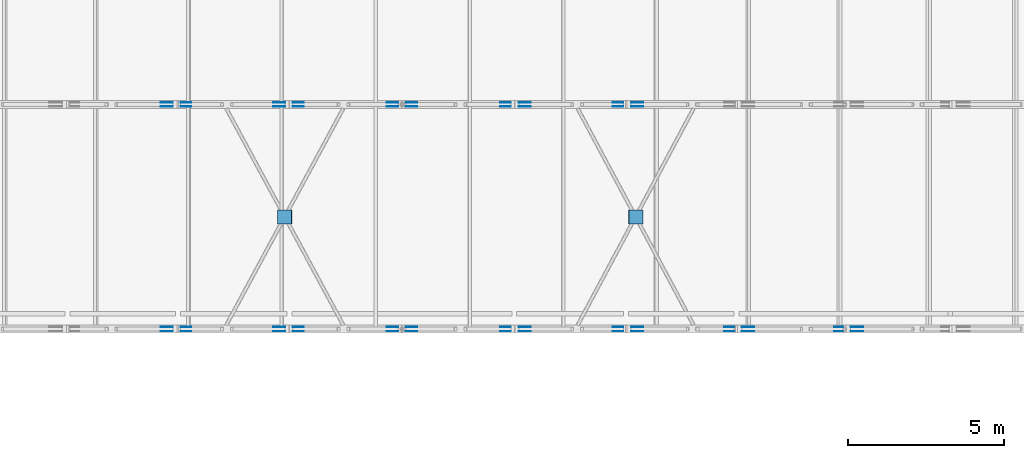
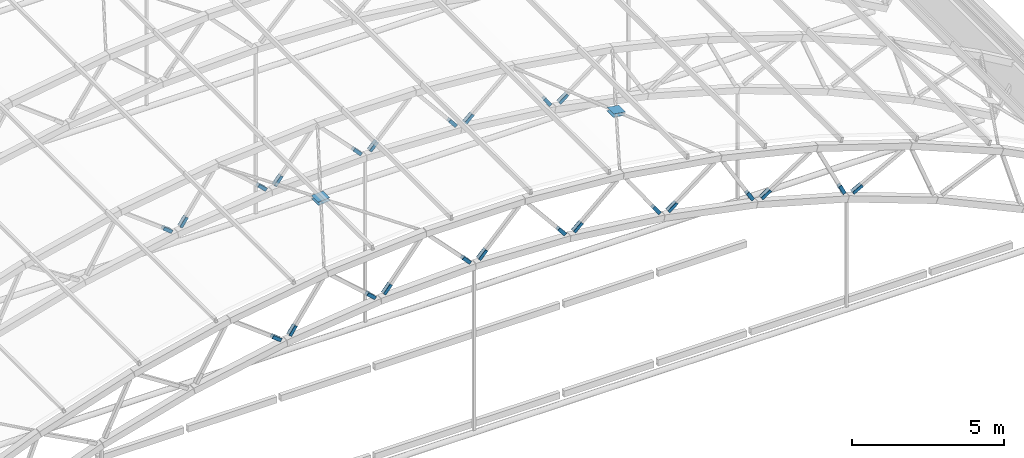
# One storey, part 111 of 127: 52 discrete accessories.
"""IFC4 building model written with IfcOpenShell, lengths in metres."""

from ifc_helpers import new_model, si_unit, direction, frame, origin, origin_2d, place, context, subcontext, project, spatial, rectangle, extrude, material, material_profile, profile_set, type_object, element, save


model = new_model("IFC4")

# Units and contexts
model_context = context("Model", 3, precision=1e-05, world=origin(), true_north=direction((0.0, 1.0)))
body_context = subcontext(model_context, "Body", "Model", "MODEL_VIEW")
ifc_project = project(units=[si_unit("LENGTHUNIT", "METRE"), si_unit("AREAUNIT", "SQUARE_METRE"), si_unit("VOLUMEUNIT", "CUBIC_METRE"), si_unit("PLANEANGLEUNIT", "RADIAN"), si_unit("MASSUNIT", "GRAM", prefix="KILO")], contexts=[model_context])

# Site, building, storey
site_placement = place(None, origin())
site = spatial("IfcSite", under=ifc_project, at=site_placement, CompositionType="ELEMENT")
building_placement = place(site_placement, origin())
building = spatial("IfcBuilding", under=site, at=building_placement, Name="Verrick Yard Athletic Hall", CompositionType="ELEMENT")
storey_placement = place(building_placement, frame((0.0, 0.0, 14.0)))
storey = spatial("IfcBuildingStorey", under=building, at=storey_placement, Name="L03", CompositionType="ELEMENT", Elevation=14.0)

# Discrete accessories
ifc_material = material(Name="Structural steel 350W (CSA G40.21)", Category="steel")
ifc_material_profile_1 = material_profile(ifc_material, rectangle(XDim=0.39990234375, YDim=0.126953125, at=origin_2d()), Name="Brace end cheek plate")
ifc_profile_set_1 = profile_set([ifc_material_profile_1], Name="Structural steel 350W (CSA G40.21)")
discrete_accessory_type_1 = type_object("IfcDiscreteAccessoryType", Name="Brace end cheek plate 400x127x12", PredefinedType="BRACKET", material=ifc_profile_set_1)
for number, where, z_axis, x_axis, name in (
    (1, (138.058349609375, 71.9365234375, 6.464111328125), (0.0, -1.0, 0.0), (-0.796193473644, 0.0, 0.605042108061), "Truss web end plate TA1-10 1"),
    (2, (138.058349609375, 72.0634765625, 6.464111328125), (0.0, 1.0, 0.0), (-0.796193473644, 0.0, 0.605042108061), "Truss web end plate TA1-10 2"),
    (3, (138.671630859375, 72.0634765625, 6.56103515625), (0.0, 1.0, 0.0), (0.570674326681, 0.0, 0.821176480951), "Truss web end plate TA1-11 1"),
    (4, (138.671630859375, 71.9365234375, 6.56103515625), (0.0, -1.0, 0.0), (0.570674326681, 0.0, 0.821176480951), "Truss web end plate TA1-11 2"),
    (5, (141.661865234375, 71.9365234375, 6.91455078125), (0.0, -1.0, 0.0), (-0.746352356768, 0.0, 0.665551019492), "Truss web end plate TA1-12 1"),
    (6, (141.661865234375, 72.0634765625, 6.91455078125), (0.0, 1.0, 0.0), (-0.746352356768, 0.0, 0.665551019492), "Truss web end plate TA1-12 2"),
    (7, (142.28076171875, 72.0634765625, 6.963134765625), (0.0, 1.0, 0.0), (0.633245761862, 0.0, 0.773950776913), "Truss web end plate TA1-13 1"),
    (8, (142.28076171875, 71.9365234375, 6.963134765625), (0.0, -1.0, 0.0), (0.633245761862, 0.0, 0.773950776913), "Truss web end plate TA1-13 2"),
    (9, (145.28955078125, 71.9365234375, 7.0810546875), (0.0, -1.0, 0.0), (-0.691925275628, 0.0, 0.721969121879), "Truss web end plate TA1-14 1"),
    (10, (145.28955078125, 72.0634765625, 7.0810546875), (0.0, 1.0, 0.0), (-0.691925275628, 0.0, 0.721969121879), "Truss web end plate TA1-14 2"),
    (11, (145.910400390625, 72.0634765625, 7.0810546875), (0.0, 1.0, 0.0), (0.691925275628, 0.0, 0.721969121879), "Truss web end plate TA1-15 1"),
    (12, (145.910400390625, 71.9365234375, 7.0810546875), (0.0, -1.0, 0.0), (0.691925275628, 0.0, 0.721969121879), "Truss web end plate TA1-15 2"),
    (13, (148.919189453125, 71.9365234375, 6.963134765625), (0.0, -1.0, 0.0), (-0.633245761862, 0.0, 0.773950776913), "Truss web end plate TA1-16 1"),
    (14, (148.919189453125, 72.0634765625, 6.963134765625), (0.0, 1.0, 0.0), (-0.633245761862, 0.0, 0.773950776913), "Truss web end plate TA1-16 2"),
    (15, (149.5380859375, 72.0634765625, 6.91455078125), (0.0, 1.0, 0.0), (0.746352356768, 0.0, 0.665551019492), "Truss web end plate TA1-17 1"),
    (16, (149.5380859375, 71.9365234375, 6.91455078125), (0.0, -1.0, 0.0), (0.746352356768, 0.0, 0.665551019492), "Truss web end plate TA1-17 2"),
    (17, (152.5283203125, 71.9365234375, 6.56103515625), (0.0, -1.0, 0.0), (-0.570674326681, 0.0, 0.821176480951), "Truss web end plate TA1-18 1"),
    (18, (152.5283203125, 72.0634765625, 6.56103515625), (0.0, 1.0, 0.0), (-0.570674326681, 0.0, 0.821176480951), "Truss web end plate TA1-18 2"),
    (19, (153.1416015625, 72.0634765625, 6.464111328125), (0.0, 1.0, 0.0), (0.796193473644, 0.0, 0.605042108061), "Truss web end plate TA1-19 1"),
    (20, (153.1416015625, 71.9365234375, 6.464111328125), (0.0, -1.0, 0.0), (0.796193473644, 0.0, 0.605042108061), "Truss web end plate TA1-19 2"),
    (21, (156.094970703125, 71.9365234375, 5.877685546875), (0.0, -1.0, 0.0), (-0.504596608522, 0.0, 0.863355235502), "Truss web end plate TA1-20 1"),
    (22, (156.094970703125, 72.0634765625, 5.877685546875), (0.0, 1.0, 0.0), (-0.504596608522, 0.0, 0.863355235502), "Truss web end plate TA1-20 2"),
    (23, (156.698974609375, 72.0634765625, 5.73291015625), (0.0, 1.0, 0.0), (0.841141186405, 0.0, 0.540815591984), "Truss web end plate TA1-21 1"),
    (24, (156.698974609375, 71.9365234375, 5.73291015625), (0.0, -1.0, 0.0), (0.841141186405, 0.0, 0.540815591984), "Truss web end plate TA1-21 2"),
    (25, (159.59716796875, 71.9365234375, 4.9169921875), (0.0, -1.0, 0.0), (-0.435417263932, 0.0, 0.90022875219), "Truss web end plate TA1-22 1"),
    (26, (159.59716796875, 72.0634765625, 4.9169921875), (0.0, 1.0, 0.0), (-0.435417263932, 0.0, 0.90022875219), "Truss web end plate TA1-22 2"),
    (27, (160.187744140625, 72.0634765625, 4.725341796875), (0.0, 1.0, 0.0), (0.880919955637, 0.0, 0.473265286876), "Truss web end plate TA1-23 1"),
    (28, (160.187744140625, 71.9365234375, 4.725341796875), (0.0, -1.0, 0.0), (0.880919955637, 0.0, 0.473265286876), "Truss web end plate TA1-23 2"),
    (29, (138.058349609375, 79.136474609375, 6.464111328125), (0.0, -1.0, 0.0), (-0.796193473644, 0.0, 0.605042108061), "Truss web end plate TA2-10 1"),
    (30, (138.058349609375, 79.263427734375, 6.464111328125), (0.0, 1.0, 0.0), (-0.796193473644, 0.0, 0.605042108061), "Truss web end plate TA2-10 2"),
    (31, (138.671630859375, 79.263427734375, 6.56103515625), (0.0, 1.0, 0.0), (0.570674326681, 0.0, 0.821176480951), "Truss web end plate TA2-11 1"),
    (32, (138.671630859375, 79.136474609375, 6.56103515625), (0.0, -1.0, 0.0), (0.570674326681, 0.0, 0.821176480951), "Truss web end plate TA2-11 2"),
    (33, (141.661865234375, 79.136474609375, 6.91455078125), (0.0, -1.0, 0.0), (-0.746352356768, 0.0, 0.665551019492), "Truss web end plate TA2-12 1"),
    (34, (141.661865234375, 79.263427734375, 6.91455078125), (0.0, 1.0, 0.0), (-0.746352356768, 0.0, 0.665551019492), "Truss web end plate TA2-12 2"),
    (35, (142.28076171875, 79.263427734375, 6.963134765625), (0.0, 1.0, 0.0), (0.633245761862, 0.0, 0.773950776913), "Truss web end plate TA2-13 1"),
    (36, (142.28076171875, 79.136474609375, 6.963134765625), (0.0, -1.0, 0.0), (0.633245761862, 0.0, 0.773950776913), "Truss web end plate TA2-13 2"),
    (37, (145.28955078125, 79.136474609375, 7.0810546875), (0.0, -1.0, 0.0), (-0.691925275628, 0.0, 0.721969121879), "Truss web end plate TA2-14 1"),
    (38, (145.28955078125, 79.263427734375, 7.0810546875), (0.0, 1.0, 0.0), (-0.691925275628, 0.0, 0.721969121879), "Truss web end plate TA2-14 2"),
    (39, (145.910400390625, 79.263427734375, 7.0810546875), (0.0, 1.0, 0.0), (0.691925275628, 0.0, 0.721969121879), "Truss web end plate TA2-15 1"),
    (40, (145.910400390625, 79.136474609375, 7.0810546875), (0.0, -1.0, 0.0), (0.691925275628, 0.0, 0.721969121879), "Truss web end plate TA2-15 2"),
    (41, (148.919189453125, 79.136474609375, 6.963134765625), (0.0, -1.0, 0.0), (-0.633245761862, 0.0, 0.773950776913), "Truss web end plate TA2-16 1"),
    (42, (148.919189453125, 79.263427734375, 6.963134765625), (0.0, 1.0, 0.0), (-0.633245761862, 0.0, 0.773950776913), "Truss web end plate TA2-16 2"),
    (43, (149.5380859375, 79.263427734375, 6.91455078125), (0.0, 1.0, 0.0), (0.746352356768, 0.0, 0.665551019492), "Truss web end plate TA2-17 1"),
    (44, (149.5380859375, 79.136474609375, 6.91455078125), (0.0, -1.0, 0.0), (0.746352356768, 0.0, 0.665551019492), "Truss web end plate TA2-17 2"),
    (45, (152.5283203125, 79.136474609375, 6.56103515625), (0.0, -1.0, 0.0), (-0.570674326681, 0.0, 0.821176480951), "Truss web end plate TA2-18 1"),
    (46, (152.5283203125, 79.263427734375, 6.56103515625), (0.0, 1.0, 0.0), (-0.570674326681, 0.0, 0.821176480951), "Truss web end plate TA2-18 2"),
    (47, (153.1416015625, 79.263427734375, 6.464111328125), (0.0, 1.0, 0.0), (0.796193473644, 0.0, 0.605042108061), "Truss web end plate TA2-19 1"),
    (48, (153.1416015625, 79.136474609375, 6.464111328125), (0.0, -1.0, 0.0), (0.796193473644, 0.0, 0.605042108061), "Truss web end plate TA2-19 2"),
):
    element("IfcDiscreteAccessory", number, at=place(storey_placement, frame(where, z_axis=z_axis, x_axis=x_axis)), inside=storey, type_object=discrete_accessory_type_1, Name=name, PredefinedType="BRACKET", context=body_context, shape_type="SweptSolid", body=[
        extrude(rectangle(XDim=0.39990234375, YDim=0.126953125, at=origin_2d()), origin(), (0.0, 0.0, 1.0), 0.011962890625),
    ])
ifc_material_profile_2 = material_profile(ifc_material, rectangle(XDim=0.449951171875, YDim=0.449951171875, at=origin_2d()), Name="Brace node plate")
ifc_profile_set_2 = profile_set([ifc_material_profile_2], Name="Structural steel 350W (CSA G40.21)")
discrete_accessory_type_2 = type_object("IfcDiscreteAccessoryType", Name="Brace node plate 450x450x12", PredefinedType="BRACKET", material=ifc_profile_set_2)
for number, where, z_axis, x_axis, name in (
    (49, (141.847412109375, 75.60009765625, 8.515869140625), (0.081362009455, 0.0, -0.996684615823), (0.0, 1.0, 0.0), "Brace node plate A1-5 1"),
    (50, (141.83837890625, 75.60009765625, 8.6298828125), (-0.081362009455, 0.0, 0.996684615823), (0.0, -1.0, 0.0), "Brace node plate A1-5 2"),
    (51, (153.08203125, 75.60009765625, 8.0751953125), (-0.144306893072, 0.0, -0.989532981063), (0.0, -1.0, 0.0), "Brace node plate A1-8 1"),
    (52, (153.099853515625, 75.60009765625, 8.188232421875), (0.164398987305, 0.0, 0.986393923832), (0.0, 1.0, 0.0), "Brace node plate A1-8 2"),
):
    element("IfcDiscreteAccessory", number, at=place(storey_placement, frame(where, z_axis=z_axis, x_axis=x_axis)), inside=storey, type_object=discrete_accessory_type_2, Name=name, PredefinedType="BRACKET", context=body_context, shape_type="SweptSolid", body=[
        extrude(rectangle(XDim=0.449951171875, YDim=0.449951171875, at=origin_2d()), origin(), (0.0, 0.0, 1.0), 0.011962890625),
    ])

save(model, "model.ifc")
